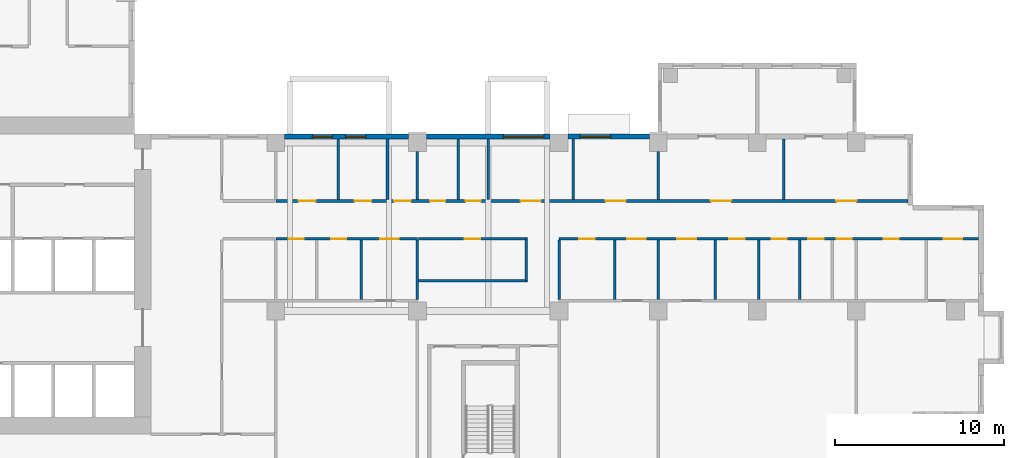
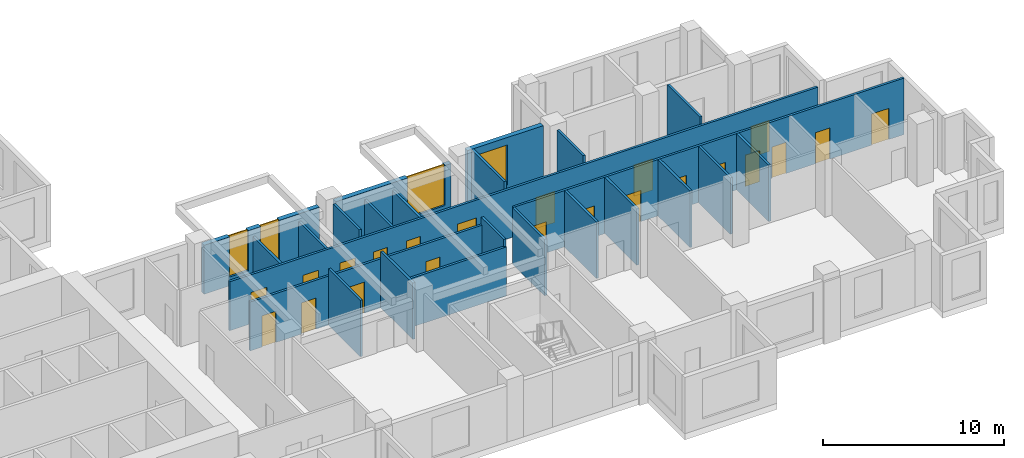
# One storey, part 5 of 14: 25 walls, 22 doors, 4 windows, 26 openings.
"""IFC4 building model written with IfcOpenShell, lengths in metres."""

from ifc_helpers import new_model, si_unit, direction, frame, frame_2d, origin, place, context, subcontext, project, spatial, rectangle, extrude, source, transform, mapped, material, layer, layer_set, type_object, element, fill, save


model = new_model("IFC4")

# Units and contexts
model_context = context("Model", 3, precision=1e-05, world=origin(), true_north=direction((0.0, 1.0)))
body_context = subcontext(model_context, "Body", "Model", "MODEL_VIEW")
ifc_project = project(units=[si_unit("LENGTHUNIT", "METRE"), si_unit("AREAUNIT", "SQUARE_METRE"), si_unit("VOLUMEUNIT", "CUBIC_METRE"), si_unit("PLANEANGLEUNIT", "RADIAN"), si_unit("MASSUNIT", "GRAM", prefix="KILO")], contexts=[model_context])

# Site, building, storey
site_placement = place(None, origin())
site = spatial("IfcSite", under=ifc_project, at=site_placement, CompositionType="ELEMENT")
building_placement = place(site_placement, origin())
building = spatial("IfcBuilding", under=site, at=building_placement, Name="Aurelian Terraces", CompositionType="ELEMENT")
storey_placement = place(building_placement, frame((0.0, 0.0, 132.9)))
storey = spatial("IfcBuildingStorey", under=building, at=storey_placement, Name="L29", CompositionType="ELEMENT", Elevation=132.9)

# Wall, opening, window
ifc_material_1 = material(Name="Terracotta rainscreen cladding", Category="masonry")
ifc_layer_1 = layer(ifc_material_1, 0.3)
ifc_layer_set_1 = layer_set([ifc_layer_1], Name="EW-300")
wall_type_1 = type_object("IfcWallType", Name="EW-300", PredefinedType="STANDARD", material=ifc_layer_set_1)
shared_shape_1 = source(origin(), body_context, "Body", "SweptSolid", [
    extrude(rectangle(XDim=4.83, YDim=0.3, at=frame_2d((2.415, 0.0))), origin(), (0.0, 0.0, 1.0), 3.8),
])
wall_1_placement = place(storey_placement, frame((51.555, 20.85, 0.0), z_axis=(0.0, 0.0, 1.0), x_axis=(-1.0, 0.0, 0.0)))
wall_1 = element("IfcWall", 1, at=wall_1_placement, inside=storey, type_object=wall_type_1, Name="External wall L29 F07.20", PredefinedType="STANDARD", context=body_context, shape_type="MappedRepresentation", body=[
    mapped(shared_shape_1, transform((0.0, 0.0, 0.0), scale=1.0)),
])
shared_shape_2 = source(origin(), body_context, "Body", "SweptSolid", [
    extrude(rectangle(XDim=1.8, YDim=2.7, at=frame_2d((0.9, 1.35))), frame((0.0, 0.16, 0.0), z_axis=(0.0, -1.0, 0.0), x_axis=(1.0, 0.0, 0.0)), (0.0, 0.0, 1.0), 0.32),
])
opening_1_placement = place(wall_1_placement, frame((2.2975, 0.0, 0.6)))
opening_1 = element("IfcOpeningElement", 2, at=opening_1_placement, cuts=wall_1, Name="Opening W1827", PredefinedType="OPENING", context=body_context, shape_type="MappedRepresentation", body=[
    mapped(shared_shape_2, transform((0.0, 0.0, 0.0), scale=1.0)),
])
ifc_material_2 = material(Name="Clear glazing", Category="glass")
window_type_1 = type_object("IfcWindowType", Name="W-1800x2700", PartitioningType="SINGLE_PANEL", PredefinedType="WINDOW", material=ifc_material_2)
shared_shape_3 = source(origin(), body_context, "Body", "SweptSolid", [
    extrude(rectangle(XDim=1.8, YDim=2.7, at=frame_2d((0.9, 1.35))), frame((0.0, 0.03, 0.0), z_axis=(0.0, -1.0, 0.0), x_axis=(1.0, 0.0, 0.0)), (0.0, 0.0, 1.0), 0.06),
])
window_1_placement = place(opening_1_placement, origin())
window_1 = element("IfcWindow", 3, at=window_1_placement, inside=storey, type_object=window_type_1, Name="Window L29 L29-F07-20-4", OverallHeight=2.7, OverallWidth=1.8, PartitioningType="SINGLE_PANEL", PredefinedType="WINDOW", context=body_context, shape_type="MappedRepresentation", body=[
    mapped(shared_shape_3, transform((0.0, 0.0, 0.0), scale=1.0)),
])
fill(opening_1, window_1)

shared_shape_4 = source(origin(), body_context, "Body", "SweptSolid", [
    extrude(rectangle(XDim=7.35, YDim=0.3, at=frame_2d((3.675, 0.0))), origin(), (0.0, 0.0, 1.0), 3.3),
])
wall_2_placement = place(storey_placement, frame((45.675, 20.85, 0.0), z_axis=(0.0, 0.0, 1.0), x_axis=(-1.0, 0.0, 0.0)))
wall_2 = element("IfcWall", 4, at=wall_2_placement, inside=storey, type_object=wall_type_1, Name="External wall L29 F07.21", PredefinedType="STANDARD", context=body_context, shape_type="MappedRepresentation", body=[
    mapped(shared_shape_4, transform((0.0, 0.0, 0.0), scale=1.0)),
])
shared_shape_5 = source(origin(), body_context, "Body", "SweptSolid", [
    extrude(rectangle(XDim=2.4, YDim=2.7, at=frame_2d((1.2, 1.35))), frame((0.0, 0.16, 0.0), z_axis=(0.0, -1.0, 0.0), x_axis=(1.0, 0.0, 0.0)), (0.0, 0.0, 1.0), 0.32),
])
opening_2_placement = place(wall_2_placement, frame((0.375, 0.0, 0.6)))
opening_2 = element("IfcOpeningElement", 5, at=opening_2_placement, cuts=wall_2, Name="Opening W2427", PredefinedType="OPENING", context=body_context, shape_type="MappedRepresentation", body=[
    mapped(shared_shape_5, transform((0.0, 0.0, 0.0), scale=1.0)),
])
window_type_2 = type_object("IfcWindowType", Name="W-2400x2700", PartitioningType="SINGLE_PANEL", PredefinedType="WINDOW", material=ifc_material_2)
shared_shape_6 = source(origin(), body_context, "Body", "SweptSolid", [
    extrude(rectangle(XDim=2.4, YDim=2.7, at=frame_2d((1.2, 1.35))), frame((0.0, 0.03, 0.0), z_axis=(0.0, -1.0, 0.0), x_axis=(1.0, 0.0, 0.0)), (0.0, 0.0, 1.0), 0.06),
])
window_2_placement = place(opening_2_placement, origin())
window_2 = element("IfcWindow", 6, at=window_2_placement, inside=storey, type_object=window_type_2, Name="Window L29 L29-F07-21-0", OverallHeight=2.7, OverallWidth=2.4, PartitioningType="SINGLE_PANEL", PredefinedType="WINDOW", context=body_context, shape_type="MappedRepresentation", body=[
    mapped(shared_shape_6, transform((0.0, 0.0, 0.0), scale=1.0)),
])
fill(opening_2, window_2)

# Wall, openings, windows
wall_3_placement = place(storey_placement, frame((37.275, 20.85, 0.0), z_axis=(0.0, 0.0, 1.0), x_axis=(-1.0, 0.0, 0.0)))
wall_3 = element("IfcWall", 7, at=wall_3_placement, inside=storey, type_object=wall_type_1, Name="External wall L29 F07.21", PredefinedType="STANDARD", context=body_context, shape_type="MappedRepresentation", body=[
    mapped(shared_shape_4, transform((0.0, 0.0, 0.0), scale=1.0)),
])
shared_shape_7 = source(origin(), body_context, "Body", "SweptSolid", [
    extrude(rectangle(XDim=1.2, YDim=2.7, at=frame_2d((0.6, 1.35))), frame((0.0, 0.16, 0.0), z_axis=(0.0, -1.0, 0.0), x_axis=(1.0, 0.0, 0.0)), (0.0, 0.0, 1.0), 0.32),
])
opening_3_placement = place(wall_3_placement, frame((2.541, 0.0, 0.6)))
opening_3 = element("IfcOpeningElement", 8, at=opening_3_placement, cuts=wall_3, Name="Opening W1227", PredefinedType="OPENING", context=body_context, shape_type="MappedRepresentation", body=[
    mapped(shared_shape_7, transform((0.0, 0.0, 0.0), scale=1.0)),
])
opening_4_placement = place(wall_3_placement, frame((4.516, 0.0, 0.6)))
opening_4 = element("IfcOpeningElement", 9, at=opening_4_placement, cuts=wall_3, Name="Opening W1227", PredefinedType="OPENING", context=body_context, shape_type="MappedRepresentation", body=[
    mapped(shared_shape_7, transform((0.0, 0.0, 0.0), scale=1.0)),
])
window_type_3 = type_object("IfcWindowType", Name="W-1200x2700", PartitioningType="SINGLE_PANEL", PredefinedType="WINDOW", material=ifc_material_2)
shared_shape_8 = source(origin(), body_context, "Body", "SweptSolid", [
    extrude(rectangle(XDim=1.2, YDim=2.7, at=frame_2d((0.6, 1.35))), frame((0.0, 0.03, 0.0), z_axis=(0.0, -1.0, 0.0), x_axis=(1.0, 0.0, 0.0)), (0.0, 0.0, 1.0), 0.06),
])
window_3_placement = place(opening_3_placement, origin())
window_3 = element("IfcWindow", 10, at=window_3_placement, inside=storey, type_object=window_type_3, Name="Window L29 L29-F07-21-2.1", OverallHeight=2.7, OverallWidth=1.2, PartitioningType="SINGLE_PANEL", PredefinedType="WINDOW", context=body_context, shape_type="MappedRepresentation", body=[
    mapped(shared_shape_8, transform((0.0, 0.0, 0.0), scale=1.0)),
])
fill(opening_3, window_3)
window_4_placement = place(opening_4_placement, origin())
window_4 = element("IfcWindow", 11, at=window_4_placement, inside=storey, type_object=window_type_3, Name="Window L29 L29-F07-21-2.2", OverallHeight=2.7, OverallWidth=1.2, PartitioningType="SINGLE_PANEL", PredefinedType="WINDOW", context=body_context, shape_type="MappedRepresentation", body=[
    mapped(shared_shape_8, transform((0.0, 0.0, 0.0), scale=1.0)),
])
fill(opening_4, window_4)

# Walls
ifc_material_3 = material(Name="Gypsum board on steel studs", Category="steel")
ifc_layer_2 = layer(ifc_material_3, 0.15)
ifc_layer_set_2 = layer_set([ifc_layer_2], Name="Partition 150")
wall_type_2 = type_object("IfcWallType", Name="Partition 150", PredefinedType="PARTITIONING", material=ifc_layer_set_2)
shared_shape_9 = source(origin(), body_context, "Body", "SweptSolid", [
    extrude(rectangle(XDim=3.6, YDim=0.15, at=frame_2d((1.8, 0.0))), origin(), (0.0, 0.0, 1.0), 3.8),
])
for number, where, z_axis, x_axis, name in (
    (12, (47.04, 20.7, 0.0), (0.0, 0.0, 1.0), (0.0, -1.0, 0.0), "Partition"),
    (13, (59.5275, 20.7, 0.0), (0.0, 0.0, 1.0), (0.0, -1.0, 0.0), "Partition"),
):
    element("IfcWall", number, at=place(storey_placement, frame(where, z_axis=z_axis, x_axis=x_axis)), inside=storey, type_object=wall_type_2, Name=name, PredefinedType="PARTITIONING", context=body_context, shape_type="MappedRepresentation", body=[
        mapped(shared_shape_9, transform((0.0, 0.0, 0.0), scale=1.0)),
    ])

# Wall, openings, doors
ifc_layer_3 = layer(ifc_material_3, 0.15)
ifc_layer_set_3 = layer_set([ifc_layer_3], Name="Fire partition 150")
wall_type_3 = type_object("IfcWallType", Name="Fire partition 150", PredefinedType="PARTITIONING", material=ifc_layer_set_3)
shared_shape_10 = source(origin(), body_context, "Body", "SweptSolid", [
    extrude(rectangle(XDim=24.9, YDim=0.15, at=frame_2d((12.45, 0.0))), origin(), (0.0, 0.0, 1.0), 3.8),
])
wall_4_placement = place(storey_placement, frame((71.1, 14.775, 0.0), z_axis=(0.0, 0.0, 1.0), x_axis=(-1.0, 0.0, 0.0)))
wall_4 = element("IfcWall", 14, at=wall_4_placement, inside=storey, type_object=wall_type_3, Name="Corridor wall", PredefinedType="PARTITIONING", context=body_context, shape_type="MappedRepresentation", body=[
    mapped(shared_shape_10, transform((0.0, 0.0, 0.0), scale=1.0)),
])
shared_shape_11 = source(origin(), body_context, "Body", "SweptSolid", [
    extrude(rectangle(XDim=1.1, YDim=2.1, at=frame_2d((0.55, 1.05))), frame((0.0, 0.085, 0.0), z_axis=(0.0, -1.0, 0.0), x_axis=(1.0, 0.0, 0.0)), (0.0, 0.0, 1.0), 0.17),
])
opening_5_placement = place(wall_4_placement, frame((19.7542, 0.0, 0.0)))
opening_5 = element("IfcOpeningElement", 15, at=opening_5_placement, cuts=wall_4, Name="Opening 729011", PredefinedType="OPENING", context=body_context, shape_type="MappedRepresentation", body=[
    mapped(shared_shape_11, transform((0.0, 0.0, 0.0), scale=1.0)),
])
shared_shape_12 = source(origin(), body_context, "Body", "SweptSolid", [
    extrude(rectangle(XDim=0.9, YDim=2.1, at=frame_2d((0.45, 1.05))), frame((0.0, 0.085, 0.0), z_axis=(0.0, -1.0, 0.0), x_axis=(1.0, 0.0, 0.0)), (0.0, 0.0, 1.0), 0.17),
])
opening_6_placement = place(wall_4_placement, frame((22.7942, 0.0, 0.0)))
opening_6 = element("IfcOpeningElement", 16, at=opening_6_placement, cuts=wall_4, Name="Opening 729013", PredefinedType="OPENING", context=body_context, shape_type="MappedRepresentation", body=[
    mapped(shared_shape_12, transform((0.0, 0.0, 0.0), scale=1.0)),
])
opening_7_placement = place(wall_4_placement, frame((16.7722, 0.0, 0.0)))
opening_7 = element("IfcOpeningElement", 17, at=opening_7_placement, cuts=wall_4, Name="Opening 729014", PredefinedType="OPENING", context=body_context, shape_type="MappedRepresentation", body=[
    mapped(shared_shape_11, transform((0.0, 0.0, 0.0), scale=1.0)),
])
opening_8_placement = place(wall_4_placement, frame((13.8859, 0.0, 0.0)))
opening_8 = element("IfcOpeningElement", 18, at=opening_8_placement, cuts=wall_4, Name="Opening 729016", PredefinedType="OPENING", context=body_context, shape_type="MappedRepresentation", body=[
    mapped(shared_shape_12, transform((0.0, 0.0, 0.0), scale=1.0)),
])
opening_9_placement = place(wall_4_placement, frame((11.382, 0.0, 0.0)))
opening_9 = element("IfcOpeningElement", 19, at=opening_9_placement, cuts=wall_4, Name="Opening 729017", PredefinedType="OPENING", context=body_context, shape_type="MappedRepresentation", body=[
    mapped(shared_shape_12, transform((0.0, 0.0, 0.0), scale=1.0)),
])
opening_10_placement = place(wall_4_placement, frame((9.2003, 0.0, 0.0)))
opening_10 = element("IfcOpeningElement", 20, at=opening_10_placement, cuts=wall_4, Name="Opening 729018", PredefinedType="OPENING", context=body_context, shape_type="MappedRepresentation", body=[
    mapped(shared_shape_12, transform((0.0, 0.0, 0.0), scale=1.0)),
])
opening_11_placement = place(wall_4_placement, frame((7.5219, 0.0, 0.0)))
opening_11 = element("IfcOpeningElement", 21, at=opening_11_placement, cuts=wall_4, Name="Opening 729019", PredefinedType="OPENING", context=body_context, shape_type="MappedRepresentation", body=[
    mapped(shared_shape_12, transform((0.0, 0.0, 0.0), scale=1.0)),
])
opening_12_placement = place(wall_4_placement, frame((0.9758, 0.0, 0.0)))
opening_12 = element("IfcOpeningElement", 22, at=opening_12_placement, cuts=wall_4, Name="Opening 729020", PredefinedType="OPENING", context=body_context, shape_type="MappedRepresentation", body=[
    mapped(shared_shape_11, transform((0.0, 0.0, 0.0), scale=1.0)),
])
opening_13_placement = place(wall_4_placement, frame((4.7433, 0.0, 0.0)))
opening_13 = element("IfcOpeningElement", 23, at=opening_13_placement, cuts=wall_4, Name="Opening 729022", PredefinedType="OPENING", context=body_context, shape_type="MappedRepresentation", body=[
    mapped(shared_shape_12, transform((0.0, 0.0, 0.0), scale=1.0)),
])
ifc_material_4 = material(Name="Timber door leaf", Category="wood")
door_type_1 = type_object("IfcDoorType", Name="Room door 900x2100 right", OperationType="SINGLE_SWING_RIGHT", PredefinedType="DOOR", material=ifc_material_4)
shared_shape_13 = source(origin(), body_context, "Body", "SweptSolid", [
    extrude(rectangle(XDim=0.9, YDim=2.1, at=frame_2d((0.45, 1.05))), frame((0.0, 0.025, 0.0), z_axis=(0.0, -1.0, 0.0), x_axis=(1.0, 0.0, 0.0)), (0.0, 0.0, 1.0), 0.05),
])
door_1_placement = place(opening_6_placement, origin())
door_1 = element("IfcDoor", 24, at=door_1_placement, inside=storey, type_object=door_type_1, Name="Door 729013", OperationType="SINGLE_SWING_RIGHT", OverallHeight=2.1, OverallWidth=0.9, PredefinedType="DOOR", context=body_context, shape_type="MappedRepresentation", body=[
    mapped(shared_shape_13, transform((0.0, 0.0, 0.0), scale=1.0)),
])
fill(opening_6, door_1)
door_2_placement = place(opening_8_placement, origin())
door_2 = element("IfcDoor", 25, at=door_2_placement, inside=storey, type_object=door_type_1, Name="Door 729016", OperationType="SINGLE_SWING_RIGHT", OverallHeight=2.1, OverallWidth=0.9, PredefinedType="DOOR", context=body_context, shape_type="MappedRepresentation", body=[
    mapped(shared_shape_13, transform((0.0, 0.0, 0.0), scale=1.0)),
])
fill(opening_8, door_2)
door_type_2 = type_object("IfcDoorType", Name="Room door 900x2100 left", OperationType="SINGLE_SWING_LEFT", PredefinedType="DOOR", material=ifc_material_4)
door_3_placement = place(opening_9_placement, origin())
door_3 = element("IfcDoor", 26, at=door_3_placement, inside=storey, type_object=door_type_2, Name="Door 729017", OperationType="SINGLE_SWING_LEFT", OverallHeight=2.1, OverallWidth=0.9, PredefinedType="DOOR", context=body_context, shape_type="MappedRepresentation", body=[
    mapped(shared_shape_13, transform((0.0, 0.0, 0.0), scale=1.0)),
])
fill(opening_9, door_3)
door_4_placement = place(opening_10_placement, origin())
door_4 = element("IfcDoor", 27, at=door_4_placement, inside=storey, type_object=door_type_1, Name="Door 729018", OperationType="SINGLE_SWING_RIGHT", OverallHeight=2.1, OverallWidth=0.9, PredefinedType="DOOR", context=body_context, shape_type="MappedRepresentation", body=[
    mapped(shared_shape_13, transform((0.0, 0.0, 0.0), scale=1.0)),
])
fill(opening_10, door_4)
door_5_placement = place(opening_11_placement, origin())
door_5 = element("IfcDoor", 28, at=door_5_placement, inside=storey, type_object=door_type_2, Name="Door 729019", OperationType="SINGLE_SWING_LEFT", OverallHeight=2.1, OverallWidth=0.9, PredefinedType="DOOR", context=body_context, shape_type="MappedRepresentation", body=[
    mapped(shared_shape_13, transform((0.0, 0.0, 0.0), scale=1.0)),
])
fill(opening_11, door_5)
door_6_placement = place(opening_13_placement, origin())
door_6 = element("IfcDoor", 29, at=door_6_placement, inside=storey, type_object=door_type_1, Name="Door 729022", OperationType="SINGLE_SWING_RIGHT", OverallHeight=2.1, OverallWidth=0.9, PredefinedType="DOOR", context=body_context, shape_type="MappedRepresentation", body=[
    mapped(shared_shape_13, transform((0.0, 0.0, 0.0), scale=1.0)),
])
fill(opening_13, door_6)
door_type_3 = type_object("IfcDoorType", Name="Room door 1100x2100 right", OperationType="SINGLE_SWING_RIGHT", PredefinedType="DOOR", material=ifc_material_4)
shared_shape_14 = source(origin(), body_context, "Body", "SweptSolid", [
    extrude(rectangle(XDim=1.1, YDim=2.1, at=frame_2d((0.55, 1.05))), frame((0.0, 0.025, 0.0), z_axis=(0.0, -1.0, 0.0), x_axis=(1.0, 0.0, 0.0)), (0.0, 0.0, 1.0), 0.05),
])
door_7_placement = place(opening_5_placement, origin())
door_7 = element("IfcDoor", 30, at=door_7_placement, inside=storey, type_object=door_type_3, Name="Door 729011", OperationType="SINGLE_SWING_RIGHT", OverallHeight=2.1, OverallWidth=1.1, PredefinedType="DOOR", context=body_context, shape_type="MappedRepresentation", body=[
    mapped(shared_shape_14, transform((0.0, 0.0, 0.0), scale=1.0)),
])
fill(opening_5, door_7)
door_8_placement = place(opening_7_placement, origin())
door_8 = element("IfcDoor", 31, at=door_8_placement, inside=storey, type_object=door_type_3, Name="Door 729014", OperationType="SINGLE_SWING_RIGHT", OverallHeight=2.1, OverallWidth=1.1, PredefinedType="DOOR", context=body_context, shape_type="MappedRepresentation", body=[
    mapped(shared_shape_14, transform((0.0, 0.0, 0.0), scale=1.0)),
])
fill(opening_7, door_8)
door_9_placement = place(opening_12_placement, origin())
door_9 = element("IfcDoor", 32, at=door_9_placement, inside=storey, type_object=door_type_3, Name="Door 729020", OperationType="SINGLE_SWING_RIGHT", OverallHeight=2.1, OverallWidth=1.1, PredefinedType="DOOR", context=body_context, shape_type="MappedRepresentation", body=[
    mapped(shared_shape_14, transform((0.0, 0.0, 0.0), scale=1.0)),
])
fill(opening_12, door_9)

# Walls
shared_shape_15 = source(origin(), body_context, "Body", "SweptSolid", [
    extrude(rectangle(XDim=3.6, YDim=0.15, at=frame_2d((1.8, 0.0))), origin(), (0.0, 0.0, 1.0), 2.8),
])
for number, where, z_axis, x_axis, name in (
    (33, (33.1133, 20.7, 0.0), (0.0, 0.0, 1.0), (0.0, -1.0, 0.0), "Partition"),
    (34, (36.024, 20.7, 0.0), (0.0, 0.0, 1.0), (0.0, -1.0, 0.0), "Partition"),
    (35, (40.2157, 20.7, 0.0), (0.0, 0.0, 1.0), (0.0, -1.0, 0.0), "Partition"),
    (36, (42.0, 17.1, 0.0), (0.0, 0.0, 1.0), (0.0, 1.0, 0.0), "Partition"),
):
    element("IfcWall", number, at=place(storey_placement, frame(where, z_axis=z_axis, x_axis=x_axis)), inside=storey, type_object=wall_type_2, Name=name, PredefinedType="PARTITIONING", context=body_context, shape_type="MappedRepresentation", body=[
        mapped(shared_shape_15, transform((0.0, 0.0, 0.0), scale=1.0)),
    ])

# Wall, openings, doors
shared_shape_16 = source(origin(), body_context, "Body", "SweptSolid", [
    extrude(rectangle(XDim=8.4, YDim=0.15, at=frame_2d((4.2, 0.0))), origin(), (0.0, 0.0, 1.0), 3.3),
])
wall_5_placement = place(storey_placement, frame((37.8, 14.775, 0.0), z_axis=(0.0, 0.0, 1.0), x_axis=(-1.0, 0.0, 0.0)))
wall_5 = element("IfcWall", 37, at=wall_5_placement, inside=storey, type_object=wall_type_3, Name="Corridor wall", PredefinedType="PARTITIONING", context=body_context, shape_type="MappedRepresentation", body=[
    mapped(shared_shape_16, transform((0.0, 0.0, 0.0), scale=1.0)),
])
opening_14_placement = place(wall_5_placement, frame((1.1203, 0.0, 0.0)))
opening_14 = element("IfcOpeningElement", 38, at=opening_14_placement, cuts=wall_5, Name="Opening 729007", PredefinedType="OPENING", context=body_context, shape_type="MappedRepresentation", body=[
    mapped(shared_shape_11, transform((0.0, 0.0, 0.0), scale=1.0)),
])
opening_15_placement = place(wall_5_placement, frame((6.7438, 0.0, 0.0)))
opening_15 = element("IfcOpeningElement", 39, at=opening_15_placement, cuts=wall_5, Name="Opening 729009", PredefinedType="OPENING", context=body_context, shape_type="MappedRepresentation", body=[
    mapped(shared_shape_12, transform((0.0, 0.0, 0.0), scale=1.0)),
])
opening_16_placement = place(wall_5_placement, frame((4.2141, 0.0, 0.0)))
opening_16 = element("IfcOpeningElement", 40, at=opening_16_placement, cuts=wall_5, Name="Opening 729010", PredefinedType="OPENING", context=body_context, shape_type="MappedRepresentation", body=[
    mapped(shared_shape_12, transform((0.0, 0.0, 0.0), scale=1.0)),
])
door_10_placement = place(opening_15_placement, origin())
door_10 = element("IfcDoor", 41, at=door_10_placement, inside=storey, type_object=door_type_1, Name="Door 729009", OperationType="SINGLE_SWING_RIGHT", OverallHeight=2.1, OverallWidth=0.9, PredefinedType="DOOR", context=body_context, shape_type="MappedRepresentation", body=[
    mapped(shared_shape_13, transform((0.0, 0.0, 0.0), scale=1.0)),
])
fill(opening_15, door_10)
door_11_placement = place(opening_16_placement, origin())
door_11 = element("IfcDoor", 42, at=door_11_placement, inside=storey, type_object=door_type_2, Name="Door 729010", OperationType="SINGLE_SWING_LEFT", OverallHeight=2.1, OverallWidth=0.9, PredefinedType="DOOR", context=body_context, shape_type="MappedRepresentation", body=[
    mapped(shared_shape_13, transform((0.0, 0.0, 0.0), scale=1.0)),
])
fill(opening_16, door_11)
door_12_placement = place(opening_14_placement, origin())
door_12 = element("IfcDoor", 43, at=door_12_placement, inside=storey, type_object=door_type_3, Name="Door 729007", OperationType="SINGLE_SWING_RIGHT", OverallHeight=2.1, OverallWidth=1.1, PredefinedType="DOOR", context=body_context, shape_type="MappedRepresentation", body=[
    mapped(shared_shape_14, transform((0.0, 0.0, 0.0), scale=1.0)),
])
fill(opening_14, door_12)

shared_shape_17 = source(origin(), body_context, "Body", "SweptSolid", [
    extrude(rectangle(XDim=37.5, YDim=0.15, at=frame_2d((18.75, 0.0))), origin(), (0.0, 0.0, 1.0), 3.3),
])
wall_6_placement = place(storey_placement, frame((29.4, 17.025, 0.0), z_axis=(0.0, 0.0, 1.0), x_axis=(1.0, 0.0, 0.0)))
wall_6 = element("IfcWall", 44, at=wall_6_placement, inside=storey, type_object=wall_type_3, Name="Corridor wall", PredefinedType="PARTITIONING", context=body_context, shape_type="MappedRepresentation", body=[
    mapped(shared_shape_17, transform((0.0, 0.0, 0.0), scale=1.0)),
])
shared_shape_18 = source(origin(), body_context, "Body", "SweptSolid", [
    extrude(rectangle(XDim=1.0, YDim=2.1, at=frame_2d((0.5, 1.05))), frame((0.0, 0.085, 0.0), z_axis=(0.0, -1.0, 0.0), x_axis=(1.0, 0.0, 0.0)), (0.0, 0.0, 1.0), 0.17),
])
opening_17_placement = place(wall_6_placement, frame((1.3567, 0.0, 0.0)))
opening_17 = element("IfcOpeningElement", 45, at=opening_17_placement, cuts=wall_6, Name="Opening 729023", PredefinedType="OPENING", context=body_context, shape_type="MappedRepresentation", body=[
    mapped(shared_shape_18, transform((0.0, 0.0, 0.0), scale=1.0)),
])
opening_18_placement = place(wall_6_placement, frame((4.6686, 0.0, 0.0)))
opening_18 = element("IfcOpeningElement", 46, at=opening_18_placement, cuts=wall_6, Name="Opening 729024", PredefinedType="OPENING", context=body_context, shape_type="MappedRepresentation", body=[
    mapped(shared_shape_18, transform((0.0, 0.0, 0.0), scale=1.0)),
])
opening_19_placement = place(wall_6_placement, frame((7.012, 0.0, 0.0)))
opening_19 = element("IfcOpeningElement", 47, at=opening_19_placement, cuts=wall_6, Name="Opening 729025", PredefinedType="OPENING", context=body_context, shape_type="MappedRepresentation", body=[
    mapped(shared_shape_18, transform((0.0, 0.0, 0.0), scale=1.0)),
])
opening_20_placement = place(wall_6_placement, frame((9.1578, 0.0, 0.0)))
opening_20 = element("IfcOpeningElement", 48, at=opening_20_placement, cuts=wall_6, Name="Opening 729026", PredefinedType="OPENING", context=body_context, shape_type="MappedRepresentation", body=[
    mapped(shared_shape_12, transform((0.0, 0.0, 0.0), scale=1.0)),
])
opening_21_placement = place(wall_6_placement, frame((11.2578, 0.0, 0.0)))
opening_21 = element("IfcOpeningElement", 49, at=opening_21_placement, cuts=wall_6, Name="Opening 729027", PredefinedType="OPENING", context=body_context, shape_type="MappedRepresentation", body=[
    mapped(shared_shape_12, transform((0.0, 0.0, 0.0), scale=1.0)),
])
shared_shape_19 = source(origin(), body_context, "Body", "SweptSolid", [
    extrude(rectangle(XDim=1.2, YDim=2.1, at=frame_2d((0.6, 1.05))), frame((0.0, 0.085, 0.0), z_axis=(0.0, -1.0, 0.0), x_axis=(1.0, 0.0, 0.0)), (0.0, 0.0, 1.0), 0.17),
])
opening_22_placement = place(wall_6_placement, frame((14.52, 0.0, 0.0)))
opening_22 = element("IfcOpeningElement", 50, at=opening_22_placement, cuts=wall_6, Name="Opening 729028", PredefinedType="OPENING", context=body_context, shape_type="MappedRepresentation", body=[
    mapped(shared_shape_19, transform((0.0, 0.0, 0.0), scale=1.0)),
])
opening_23_placement = place(wall_6_placement, frame((19.56, 0.0, 0.0)))
opening_23 = element("IfcOpeningElement", 51, at=opening_23_placement, cuts=wall_6, Name="Opening 729029", PredefinedType="OPENING", context=body_context, shape_type="MappedRepresentation", body=[
    mapped(shared_shape_19, transform((0.0, 0.0, 0.0), scale=1.0)),
])
opening_24_placement = place(wall_6_placement, frame((25.8038, 0.0, 0.0)))
opening_24 = element("IfcOpeningElement", 52, at=opening_24_placement, cuts=wall_6, Name="Opening 729030", PredefinedType="OPENING", context=body_context, shape_type="MappedRepresentation", body=[
    mapped(shared_shape_19, transform((0.0, 0.0, 0.0), scale=1.0)),
])
opening_25_placement = place(wall_6_placement, frame((33.2512, 0.0, 0.0)))
opening_25 = element("IfcOpeningElement", 53, at=opening_25_placement, cuts=wall_6, Name="Opening 729031", PredefinedType="OPENING", context=body_context, shape_type="MappedRepresentation", body=[
    mapped(shared_shape_19, transform((0.0, 0.0, 0.0), scale=1.0)),
])
door_type_4 = type_object("IfcDoorType", Name="Room door 1000x2100 right", OperationType="SINGLE_SWING_RIGHT", PredefinedType="DOOR", material=ifc_material_4)
shared_shape_20 = source(origin(), body_context, "Body", "SweptSolid", [
    extrude(rectangle(XDim=1.0, YDim=2.1, at=frame_2d((0.5, 1.05))), frame((0.0, 0.025, 0.0), z_axis=(0.0, -1.0, 0.0), x_axis=(1.0, 0.0, 0.0)), (0.0, 0.0, 1.0), 0.05),
])
door_13_placement = place(opening_17_placement, origin())
door_13 = element("IfcDoor", 54, at=door_13_placement, inside=storey, type_object=door_type_4, Name="Door 729023", OperationType="SINGLE_SWING_RIGHT", OverallHeight=2.1, OverallWidth=1.0, PredefinedType="DOOR", context=body_context, shape_type="MappedRepresentation", body=[
    mapped(shared_shape_20, transform((0.0, 0.0, 0.0), scale=1.0)),
])
fill(opening_17, door_13)
door_type_5 = type_object("IfcDoorType", Name="Room door 1000x2100 left", OperationType="SINGLE_SWING_LEFT", PredefinedType="DOOR", material=ifc_material_4)
door_14_placement = place(opening_18_placement, origin())
door_14 = element("IfcDoor", 55, at=door_14_placement, inside=storey, type_object=door_type_5, Name="Door 729024", OperationType="SINGLE_SWING_LEFT", OverallHeight=2.1, OverallWidth=1.0, PredefinedType="DOOR", context=body_context, shape_type="MappedRepresentation", body=[
    mapped(shared_shape_20, transform((0.0, 0.0, 0.0), scale=1.0)),
])
fill(opening_18, door_14)
door_15_placement = place(opening_19_placement, origin())
door_15 = element("IfcDoor", 56, at=door_15_placement, inside=storey, type_object=door_type_4, Name="Door 729025", OperationType="SINGLE_SWING_RIGHT", OverallHeight=2.1, OverallWidth=1.0, PredefinedType="DOOR", context=body_context, shape_type="MappedRepresentation", body=[
    mapped(shared_shape_20, transform((0.0, 0.0, 0.0), scale=1.0)),
])
fill(opening_19, door_15)
door_16_placement = place(opening_20_placement, origin())
door_16 = element("IfcDoor", 57, at=door_16_placement, inside=storey, type_object=door_type_1, Name="Door 729026", OperationType="SINGLE_SWING_RIGHT", OverallHeight=2.1, OverallWidth=0.9, PredefinedType="DOOR", context=body_context, shape_type="MappedRepresentation", body=[
    mapped(shared_shape_13, transform((0.0, 0.0, 0.0), scale=1.0)),
])
fill(opening_20, door_16)
door_17_placement = place(opening_21_placement, origin())
door_17 = element("IfcDoor", 58, at=door_17_placement, inside=storey, type_object=door_type_2, Name="Door 729027", OperationType="SINGLE_SWING_LEFT", OverallHeight=2.1, OverallWidth=0.9, PredefinedType="DOOR", context=body_context, shape_type="MappedRepresentation", body=[
    mapped(shared_shape_13, transform((0.0, 0.0, 0.0), scale=1.0)),
])
fill(opening_21, door_17)
door_type_6 = type_object("IfcDoorType", Name="Room door 1200x2100 right", OperationType="SINGLE_SWING_RIGHT", PredefinedType="DOOR", material=ifc_material_4)
shared_shape_21 = source(origin(), body_context, "Body", "SweptSolid", [
    extrude(rectangle(XDim=1.2, YDim=2.1, at=frame_2d((0.6, 1.05))), frame((0.0, 0.025, 0.0), z_axis=(0.0, -1.0, 0.0), x_axis=(1.0, 0.0, 0.0)), (0.0, 0.0, 1.0), 0.05),
])
door_18_placement = place(opening_22_placement, origin())
door_18 = element("IfcDoor", 59, at=door_18_placement, inside=storey, type_object=door_type_6, Name="Door 729028", OperationType="SINGLE_SWING_RIGHT", OverallHeight=2.1, OverallWidth=1.2, PredefinedType="DOOR", context=body_context, shape_type="MappedRepresentation", body=[
    mapped(shared_shape_21, transform((0.0, 0.0, 0.0), scale=1.0)),
])
fill(opening_22, door_18)
door_type_7 = type_object("IfcDoorType", Name="Room door 1200x2100 left", OperationType="SINGLE_SWING_LEFT", PredefinedType="DOOR", material=ifc_material_4)
door_19_placement = place(opening_23_placement, origin())
door_19 = element("IfcDoor", 60, at=door_19_placement, inside=storey, type_object=door_type_7, Name="Door 729029", OperationType="SINGLE_SWING_LEFT", OverallHeight=2.1, OverallWidth=1.2, PredefinedType="DOOR", context=body_context, shape_type="MappedRepresentation", body=[
    mapped(shared_shape_21, transform((0.0, 0.0, 0.0), scale=1.0)),
])
fill(opening_23, door_19)
door_20_placement = place(opening_24_placement, origin())
door_20 = element("IfcDoor", 61, at=door_20_placement, inside=storey, type_object=door_type_6, Name="Door 729030", OperationType="SINGLE_SWING_RIGHT", OverallHeight=2.1, OverallWidth=1.2, PredefinedType="DOOR", context=body_context, shape_type="MappedRepresentation", body=[
    mapped(shared_shape_21, transform((0.0, 0.0, 0.0), scale=1.0)),
])
fill(opening_24, door_20)
door_21_placement = place(opening_25_placement, origin())
door_21 = element("IfcDoor", 62, at=door_21_placement, inside=storey, type_object=door_type_7, Name="Door 729031", OperationType="SINGLE_SWING_LEFT", OverallHeight=2.1, OverallWidth=1.2, PredefinedType="DOOR", context=body_context, shape_type="MappedRepresentation", body=[
    mapped(shared_shape_21, transform((0.0, 0.0, 0.0), scale=1.0)),
])
fill(opening_25, door_21)

# Walls
shared_shape_22 = source(origin(), body_context, "Body", "SweptSolid", [
    extrude(rectangle(XDim=2.475, YDim=0.15, at=frame_2d((1.2375, 0.0))), origin(), (0.0, 0.0, 1.0), 3.8),
])
wall_7_placement = place(storey_placement, frame((44.25, 12.3, 0.0), z_axis=(0.0, 0.0, 1.0), x_axis=(0.0, 1.0, 0.0)))
element("IfcWall", 63, at=wall_7_placement, inside=storey, type_object=wall_type_2, Name="Partition", PredefinedType="PARTITIONING", context=body_context, shape_type="MappedRepresentation", body=[
    mapped(shared_shape_22, transform((0.0, 0.0, 0.0), scale=1.0)),
])
shared_shape_23 = source(origin(), body_context, "Body", "SweptSolid", [
    extrude(rectangle(XDim=6.45, YDim=0.15, at=frame_2d((3.225, 0.0))), origin(), (0.0, 0.0, 1.0), 3.3),
])
wall_8_placement = place(storey_placement, frame((37.875, 12.3, 0.0), z_axis=(0.0, 0.0, 1.0), x_axis=(1.0, 0.0, 0.0)))
element("IfcWall", 64, at=wall_8_placement, inside=storey, type_object=wall_type_2, Name="Partition", PredefinedType="PARTITIONING", context=body_context, shape_type="MappedRepresentation", body=[
    mapped(shared_shape_23, transform((0.0, 0.0, 0.0), scale=1.0)),
])

# Wall, opening, door
wall_9_placement = place(storey_placement, frame((44.325, 14.775, 0.0), z_axis=(0.0, 0.0, 1.0), x_axis=(-1.0, 0.0, 0.0)))
wall_9 = element("IfcWall", 65, at=wall_9_placement, inside=storey, type_object=wall_type_3, Name="Corridor wall", PredefinedType="PARTITIONING", context=body_context, shape_type="MappedRepresentation", body=[
    mapped(shared_shape_23, transform((0.0, 0.0, 0.0), scale=1.0)),
])
opening_26_placement = place(wall_9_placement, frame((2.8125, 0.0, 0.0)))
opening_26 = element("IfcOpeningElement", 66, at=opening_26_placement, cuts=wall_9, Name="Opening 729005", PredefinedType="OPENING", context=body_context, shape_type="MappedRepresentation", body=[
    mapped(shared_shape_12, transform((0.0, 0.0, 0.0), scale=1.0)),
])
door_22_placement = place(opening_26_placement, origin())
door_22 = element("IfcDoor", 67, at=door_22_placement, inside=storey, type_object=door_type_2, Name="Door 729005", OperationType="SINGLE_SWING_LEFT", OverallHeight=2.1, OverallWidth=0.9, PredefinedType="DOOR", context=body_context, shape_type="MappedRepresentation", body=[
    mapped(shared_shape_13, transform((0.0, 0.0, 0.0), scale=1.0)),
])
fill(opening_26, door_22)

# Walls
shared_shape_24 = source(origin(), body_context, "Body", "SweptSolid", [
    extrude(rectangle(XDim=2.851, YDim=0.15, at=frame_2d((1.4255, 0.0))), origin(), (0.0, 0.0, 1.0), 3.8),
])
for number, where, z_axis, x_axis, name in (
    (68, (37.8, 17.1, 0.0), (0.0, 0.0, 1.0), (0.0, 1.0, 0.0), "Partition"),
    (69, (52.08, 17.1, 0.0), (0.0, 0.0, 1.0), (0.0, 1.0, 0.0), "Partition"),
):
    element("IfcWall", number, at=place(storey_placement, frame(where, z_axis=z_axis, x_axis=x_axis)), inside=storey, type_object=wall_type_2, Name=name, PredefinedType="PARTITIONING", context=body_context, shape_type="MappedRepresentation", body=[
        mapped(shared_shape_24, transform((0.0, 0.0, 0.0), scale=1.0)),
    ])
shared_shape_25 = source(origin(), body_context, "Body", "SweptSolid", [
    extrude(rectangle(XDim=3.525, YDim=0.15, at=frame_2d((1.7625, 0.0))), origin(), (0.0, 0.0, 1.0), 3.8),
])
for number, where, z_axis, x_axis, name in (
    (70, (34.4595, 11.175, 0.0), (0.0, 0.0, 1.0), (0.0, 1.0, 0.0), "Partition"),
    (71, (37.8, 11.175, 0.0), (0.0, 0.0, 1.0), (0.0, 1.0, 0.0), "Partition"),
    (72, (49.5116, 11.175, 0.0), (0.0, 0.0, 1.0), (0.0, 1.0, 0.0), "Partition"),
    (73, (55.4756, 11.175, 0.0), (0.0, 0.0, 1.0), (0.0, 1.0, 0.0), "Partition"),
    (74, (58.0527, 11.175, 0.0), (0.0, 0.0, 1.0), (0.0, 1.0, 0.0), "Partition"),
    (75, (60.4833, 11.175, 0.0), (0.0, 0.0, 1.0), (0.0, 1.0, 0.0), "Partition"),
    (76, (46.2, 11.175, 0.0), (0.0, 0.0, 1.0), (0.0, 1.0, 0.0), "Partition"),
    (77, (52.08, 11.175, 0.0), (0.0, 0.0, 1.0), (0.0, 1.0, 0.0), "Partition"),
):
    element("IfcWall", number, at=place(storey_placement, frame(where, z_axis=z_axis, x_axis=x_axis)), inside=storey, type_object=wall_type_2, Name=name, PredefinedType="PARTITIONING", context=body_context, shape_type="MappedRepresentation", body=[
        mapped(shared_shape_25, transform((0.0, 0.0, 0.0), scale=1.0)),
    ])

save(model, "model.ifc")
